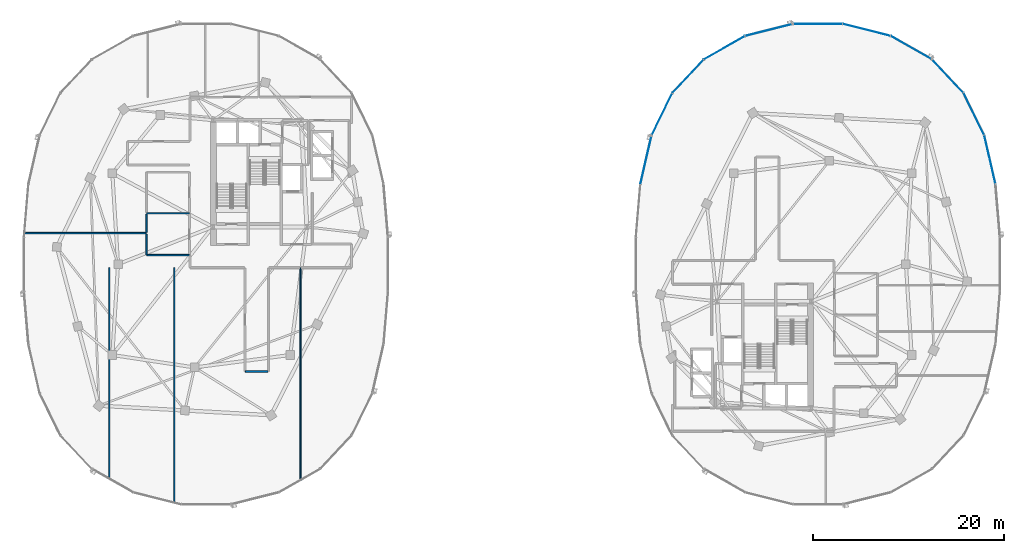
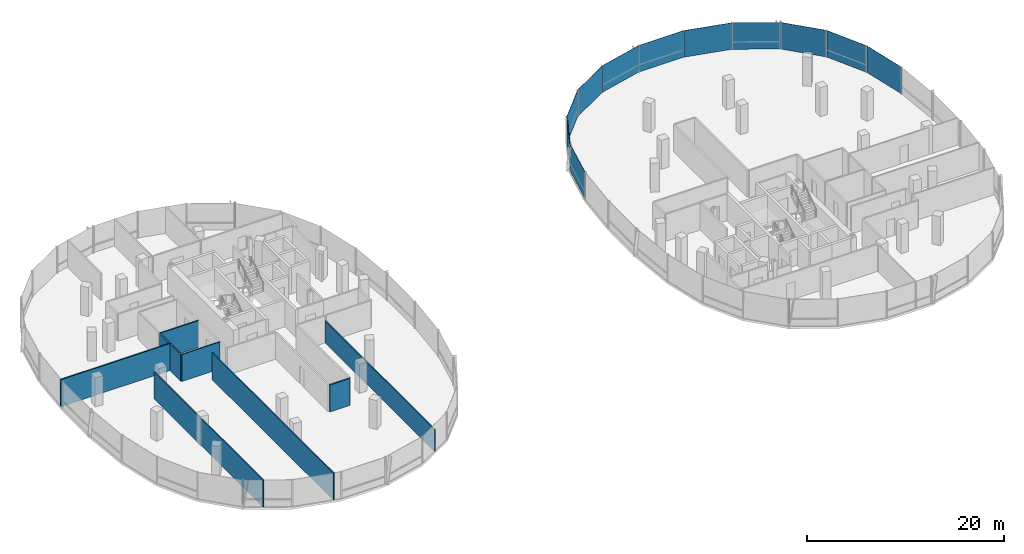
# One storey, part 14 of 25: 11 plates, 9 walls, 2 elements without a shape of their own.
"""IFC4 building model written with IfcOpenShell, lengths in metres."""

from ifc_helpers import new_model, si_unit, direction, frame, frame_2d, origin, origin_2d, place, context, subcontext, project, spatial, rectangle, extrude, material, layer, layer_set, type_object, element, aggregate, save


model = new_model("IFC4")

# Units and contexts
model_context = context("Model", 3, precision=1e-05, world=origin(), true_north=direction((0.0, 1.0)))
body_context = subcontext(model_context, "Body", "Model", "MODEL_VIEW")
ifc_project = project(units=[si_unit("LENGTHUNIT", "METRE"), si_unit("AREAUNIT", "SQUARE_METRE"), si_unit("VOLUMEUNIT", "CUBIC_METRE"), si_unit("PLANEANGLEUNIT", "RADIAN"), si_unit("MASSUNIT", "GRAM", prefix="KILO"), si_unit("THERMODYNAMICTEMPERATUREUNIT", "KELVIN"), si_unit("POWERUNIT", "WATT")], contexts=[model_context])

# Site, building, storey
site_placement = place(None, origin())
site = spatial("IfcSite", under=ifc_project, at=site_placement, CompositionType="ELEMENT")
building_placement = place(site_placement, origin())
building = spatial("IfcBuilding", under=site, at=building_placement, Name="Cundina Bronze Exchange", CompositionType="ELEMENT")
storey_placement = place(building_placement, frame((0.0, 0.0, 195.39990234375)))
storey = spatial("IfcBuildingStorey", under=building, at=storey_placement, Name="L51", CompositionType="ELEMENT", Elevation=195.39990234375)

# Curtain wall, plates
ifc_material_1 = material(Name="Anodised Bronze Aluminium 6063-T6", Category="aluminium")
curtain_wall_type = type_object("IfcCurtainWallType", Name="CWS-UPP-OFF", PredefinedType="NOTDEFINED", material=ifc_material_1)
curtain_wall_1_placement = place(storey_placement, origin())
curtain_wall_1 = element("IfcCurtainWall", 1, at=curtain_wall_1_placement, inside=storey, type_object=curtain_wall_type, Name="L51 CW-05 Curtain Wall Run CWR-L51-E1", PredefinedType="NOTDEFINED")
ifc_material_2 = material(Name="Heat-Strengthened Solar-Control Bronze Safety Glass 28mm", Category="glass")
ifc_layer_1 = layer(ifc_material_2, 0.028076171875, Name="Heat-Strengthened Solar-Control Bronze Safety Glass 28mm", Category="glass")
ifc_layer_set_1 = layer_set([ifc_layer_1], Name="Heat-Strengthened Solar-Control Bronze Safety Glass 28mm")
plate_type_1 = type_object("IfcPlateType", Name="PLT-GLZ-VIS28", PredefinedType="CURTAIN_PANEL", material=ifc_layer_set_1)
plate_1_placement = place(storey_placement, frame((49.98388671875, 10.92578125, 0.02001953125), z_axis=(0.0, 0.0, 1.0), x_axis=(-0.223284141459, 0.974753400698, 0.0)))
plate_1 = element("IfcPlate", 2, at=plate_1_placement, type_object=plate_type_1, Name="CW-05 Glazed Panel 2", PredefinedType="CURTAIN_PANEL", context=body_context, shape_type="SweptSolid", body=[
    extrude(rectangle(XDim=5.167724609375, YDim=0.028076171875, at=origin_2d()), origin(), (0.0, 0.0, 1.0), 3.300048828125),
])
plate_2_placement = place(storey_placement, frame((48.314697265625, 15.686767578125, 0.02001953125), z_axis=(0.0, 0.0, 1.0), x_axis=(-0.440503330345, 0.897750976582, 0.0)))
plate_2 = element("IfcPlate", 3, at=plate_2_placement, type_object=plate_type_1, Name="CW-05 Glazed Panel 3", PredefinedType="CURTAIN_PANEL", context=body_context, shape_type="SweptSolid", body=[
    extrude(rectangle(XDim=4.863525390625, YDim=0.028076171875, at=origin_2d()), origin(), (0.0, 0.0, 1.0), 3.300048828125),
])
plate_3_placement = place(storey_placement, frame((41.769287109375, 22.64111328125, 0.02001953125), z_axis=(0.0, 0.0, 1.0), x_axis=(-0.869572506985, 0.493805280547, 0.0)))
plate_3 = element("IfcPlate", 4, at=plate_3_placement, type_object=plate_type_1, Name="CW-05 Glazed Panel 5", PredefinedType="CURTAIN_PANEL", context=body_context, shape_type="SweptSolid", body=[
    extrude(rectangle(XDim=4.907958984375, YDim=0.028076171875, at=origin_2d()), origin(), (0.0, 0.0, 1.0), 3.300048828125),
])
plate_4_placement = place(storey_placement, frame((37.11279296875, 24.49609375, 0.02001953125), z_axis=(0.0, 0.0, 1.0), x_axis=(-0.969731542251, 0.244173577528, 0.0)))
plate_4 = element("IfcPlate", 5, at=plate_4_placement, type_object=plate_type_1, Name="CW-05 Glazed Panel 6", PredefinedType="CURTAIN_PANEL", context=body_context, shape_type="SweptSolid", body=[
    extrude(rectangle(XDim=5.0908203125, YDim=0.028076171875, at=origin_2d()), origin(), (0.0, 0.0, 1.0), 3.300048828125),
])
plate_5_placement = place(storey_placement, frame((32.0, 25.125, 0.02001953125), z_axis=(0.0, 0.0, 1.0), x_axis=(-1.0, 0.0, 0.0)))
plate_5 = element("IfcPlate", 6, at=plate_5_placement, type_object=plate_type_1, Name="CW-05 Glazed Panel 7", PredefinedType="CURTAIN_PANEL", context=body_context, shape_type="SweptSolid", body=[
    extrude(rectangle(XDim=5.16796875, YDim=0.028076171875, at=origin_2d()), origin(), (0.0, 0.0, 1.0), 3.300048828125),
])

curtain_wall_2_placement = place(storey_placement, origin())
curtain_wall_2 = element("IfcCurtainWall", 7, at=curtain_wall_2_placement, inside=storey, type_object=curtain_wall_type, Name="L51 CW-05 Curtain Wall Run CWR-L51-E2", PredefinedType="NOTDEFINED")
plate_6_placement = place(storey_placement, frame((26.88720703125, 24.49609375, 0.02001953125), z_axis=(0.0, 0.0, 1.0), x_axis=(-0.969731542251, -0.244173577528, 0.0)))
plate_6 = element("IfcPlate", 8, at=plate_6_placement, type_object=plate_type_1, Name="CW-05 Glazed Panel 1", PredefinedType="CURTAIN_PANEL", context=body_context, shape_type="SweptSolid", body=[
    extrude(rectangle(XDim=5.0908203125, YDim=0.028076171875, at=origin_2d()), origin(), (0.0, 0.0, 1.0), 3.300048828125),
])
plate_7_placement = place(storey_placement, frame((22.230712890625, 22.64111328125, 0.02001953125), z_axis=(0.0, 0.0, 1.0), x_axis=(-0.869572506985, -0.493805280547, 0.0)))
plate_7 = element("IfcPlate", 9, at=plate_7_placement, type_object=plate_type_1, Name="CW-05 Glazed Panel 2", PredefinedType="CURTAIN_PANEL", context=body_context, shape_type="SweptSolid", body=[
    extrude(rectangle(XDim=4.907958984375, YDim=0.028076171875, at=origin_2d()), origin(), (0.0, 0.0, 1.0), 3.300048828125),
])
plate_8_placement = place(storey_placement, frame((15.685302734375, 15.686767578125, 0.02001953125), z_axis=(0.0, 0.0, 1.0), x_axis=(-0.440503330345, -0.897750976582, 0.0)))
plate_8 = element("IfcPlate", 10, at=plate_8_placement, type_object=plate_type_1, Name="CW-05 Glazed Panel 4", PredefinedType="CURTAIN_PANEL", context=body_context, shape_type="SweptSolid", body=[
    extrude(rectangle(XDim=4.863525390625, YDim=0.028076171875, at=origin_2d()), origin(), (0.0, 0.0, 1.0), 3.300048828125),
])
plate_9_placement = place(storey_placement, frame((14.01611328125, 10.92578125, 0.02001953125), z_axis=(0.0, 0.0, 1.0), x_axis=(-0.223284141459, -0.974753400698, 0.0)))
plate_9 = element("IfcPlate", 11, at=plate_9_placement, type_object=plate_type_1, Name="CW-05 Glazed Panel 5", PredefinedType="CURTAIN_PANEL", context=body_context, shape_type="SweptSolid", body=[
    extrude(rectangle(XDim=5.167724609375, YDim=0.028076171875, at=origin_2d()), origin(), (0.0, 0.0, 1.0), 3.300048828125),
])

# Plate
ifc_material_3 = material(Name="Dark Bronze Spandrel Glass Panel 32mm", Category="glass")
ifc_layer_2 = layer(ifc_material_3, 0.031982421875, Name="Dark Bronze Spandrel Glass Panel 32mm", Category="glass")
ifc_layer_set_2 = layer_set([ifc_layer_2], Name="Dark Bronze Spandrel Glass Panel 32mm")
plate_type_2 = type_object("IfcPlateType", Name="PLT-SPN-BRZ32", PredefinedType="CURTAIN_PANEL", material=ifc_layer_set_2)
plate_10_placement = place(storey_placement, frame((45.5791015625, 19.6552734375, 0.02001953125), z_axis=(0.0, 0.0, 1.0), x_axis=(-0.684343512797, 0.72915976061, 0.0)))
plate_10 = element("IfcPlate", 12, at=plate_10_placement, type_object=plate_type_2, Name="CW-05 Glazed Panel 4", PredefinedType="CURTAIN_PANEL", context=body_context, shape_type="SweptSolid", body=[
    extrude(rectangle(XDim=4.773193359375, YDim=0.031982421875, at=origin_2d()), origin(), (0.0, 0.0, 1.0), 3.300048828125),
])

aggregate(curtain_wall_1, [plate_1, plate_2, plate_10, plate_3, plate_4, plate_5])

plate_11_placement = place(storey_placement, frame((18.4208984375, 19.6552734375, 0.02001953125), z_axis=(0.0, 0.0, 1.0), x_axis=(-0.684343512797, -0.72915976061, 0.0)))
plate_11 = element("IfcPlate", 13, at=plate_11_placement, type_object=plate_type_2, Name="CW-05 Glazed Panel 3", PredefinedType="CURTAIN_PANEL", context=body_context, shape_type="SweptSolid", body=[
    extrude(rectangle(XDim=4.773193359375, YDim=0.031982421875, at=origin_2d()), origin(), (0.0, 0.0, 1.0), 3.300048828125),
])

aggregate(curtain_wall_2, [plate_6, plate_7, plate_11, plate_8, plate_9])

# Walls
ifc_material_4 = material(Name="Gypsum Fireboard Partition EI120")
ifc_layer_3 = layer(ifc_material_4, 0.179931640625, Name="Gypsum Fireboard Partition EI120")
ifc_layer_set_3 = layer_set([ifc_layer_3], Name="Gypsum Fireboard Partition EI120")
wall_type_1 = type_object("IfcWallType", Name="WL-COR-180", PredefinedType="PARTITIONING", material=ifc_layer_set_3)
wall_1_placement = place(storey_placement, frame((-27.87841796875, -11.219970703125, 0.0), z_axis=(0.0, 0.0, 1.0), x_axis=(1.0, 0.0, 0.0)))
element("IfcWall", 14, at=wall_1_placement, inside=storey, type_object=wall_type_1, Name="L51 Interior Partition 027", PredefinedType="PARTITIONING", context=body_context, shape_type="SweptSolid", body=[
    extrude(rectangle(XDim=2.35693359375, YDim=0.179931640625, at=frame_2d((1.178466796875, 0.0))), origin(), (0.0, 0.0, 1.0), 3.340087890625),
])
ifc_material_5 = material(Name="Gypsum Acoustic Partition EI60")
ifc_layer_4 = layer(ifc_material_5, 0.125, Name="Gypsum Acoustic Partition EI60")
ifc_layer_set_4 = layer_set([ifc_layer_4], Name="Gypsum Acoustic Partition EI60")
wall_type_2 = type_object("IfcWallType", Name="WL-OFF-125", PredefinedType="PARTITIONING", material=ifc_layer_set_4)
wall_2_placement = place(storey_placement, frame((-42.1201171875, -22.51953125, 0.0), z_axis=(0.0, 0.0, 1.0), x_axis=(0.0, 1.0, 0.0)))
element("IfcWall", 15, at=wall_2_placement, inside=storey, type_object=wall_type_2, Name="L51 Interior Partition 016", PredefinedType="PARTITIONING", context=body_context, shape_type="SweptSolid", body=[
    extrude(rectangle(XDim=22.1494140625, YDim=0.125, at=frame_2d((11.07470703125, 0.0))), origin(), (0.0, 0.0, 1.0), 3.340087890625),
])
wall_3_placement = place(storey_placement, frame((-35.320068359375, -25.01513671875, 0.0), z_axis=(0.0, 0.0, 1.0), x_axis=(0.0, 1.0, 0.0)))
element("IfcWall", 16, at=wall_3_placement, inside=storey, type_object=wall_type_2, Name="L51 Interior Partition 017", PredefinedType="PARTITIONING", context=body_context, shape_type="SweptSolid", body=[
    extrude(rectangle(XDim=24.64501953125, YDim=0.125, at=frame_2d((12.322509765625, 0.0))), origin(), (0.0, 0.0, 1.0), 3.340087890625),
])
wall_4_placement = place(storey_placement, frame((-22.1201171875, -22.65576171875, 0.0), z_axis=(0.0, 0.0, 1.0), x_axis=(0.0, 1.0, 0.0)))
element("IfcWall", 17, at=wall_4_placement, inside=storey, type_object=wall_type_2, Name="L51 Interior Partition 018", PredefinedType="PARTITIONING", context=body_context, shape_type="SweptSolid", body=[
    extrude(rectangle(XDim=22.255859375, YDim=0.125, at=frame_2d((11.1279296875, 0.0))), origin(), (0.0, 0.0, 1.0), 2.72412109375),
])
ifc_layer_5 = layer(ifc_material_5, 0.14990234375, Name="Gypsum Acoustic Partition EI60")
ifc_layer_set_5 = layer_set([ifc_layer_5], Name="Gypsum Acoustic Partition EI60")
wall_type_3 = type_object("IfcWallType", Name="WL-TEN-150", PredefinedType="PARTITIONING", material=ifc_layer_set_5)
wall_5_placement = place(storey_placement, frame((-51.065673828125, 3.239990234375, 0.0), z_axis=(0.0, 0.0, 1.0), x_axis=(1.0, 0.0, 0.0)))
element("IfcWall", 18, at=wall_5_placement, inside=storey, type_object=wall_type_3, Name="L51 Interior Partition 019", PredefinedType="PARTITIONING", context=body_context, shape_type="SweptSolid", body=[
    extrude(rectangle(XDim=12.795654296875, YDim=0.14990234375, at=frame_2d((6.39794921875, 0.0))), origin(), (0.0, 0.0, 1.0), 3.340087890625),
])
ifc_material_6 = material(Name="Moisture-Resistant Masonry Block Grade M15", Category="masonry")
ifc_layer_6 = layer(ifc_material_6, 0.139892578125, Name="Moisture-Resistant Masonry Block Grade M15", Category="masonry")
ifc_layer_set_6 = layer_set([ifc_layer_6], Name="Moisture-Resistant Masonry Block Grade M15")
wall_type_4 = type_object("IfcWallType", Name="WL-WET-140", PredefinedType="PARTITIONING", material=ifc_layer_set_6)
wall_6_placement = place(storey_placement, frame((-38.239990234375, 0.969970703125, 0.0), z_axis=(0.0, 0.0, 1.0), x_axis=(0.0, 1.0, 0.0)))
element("IfcWall", 19, at=wall_6_placement, inside=storey, type_object=wall_type_4, Name="L51 Interior Partition 008", PredefinedType="PARTITIONING", context=body_context, shape_type="SweptSolid", body=[
    extrude(rectangle(XDim=2.18505859375, YDim=0.139892578125, at=frame_2d((1.092529296875, 0.0))), origin(), (0.0, 0.0, 1.0), 3.340087890625),
])
wall_7_placement = place(storey_placement, frame((-38.239990234375, 3.324951171875, 0.0), z_axis=(0.0, 0.0, 1.0), x_axis=(0.0, 1.0, 0.0)))
element("IfcWall", 20, at=wall_7_placement, inside=storey, type_object=wall_type_4, Name="L51 Interior Partition 009", PredefinedType="PARTITIONING", context=body_context, shape_type="SweptSolid", body=[
    extrude(rectangle(XDim=1.920166015625, YDim=0.139892578125, at=frame_2d((0.9599609375, 0.0))), origin(), (0.0, 0.0, 1.0), 3.340087890625),
])
for number, where, z_axis, x_axis, name in (
    (21, (-38.219970703125, 0.949951171875, 0.0), (0.0, 0.0, 1.0), (1.0, 0.0, 0.0), "L51 Interior Partition 011"),
    (22, (-38.219970703125, 5.330078125, 0.0), (0.0, 0.0, 1.0), (1.0, 0.0, 0.0), "L51 Interior Partition 012"),
):
    element("IfcWall", number, at=place(storey_placement, frame(where, z_axis=z_axis, x_axis=x_axis)), inside=storey, type_object=wall_type_4, Name=name, PredefinedType="PARTITIONING", context=body_context, shape_type="SweptSolid", body=[
        extrude(rectangle(XDim=4.47998046875, YDim=0.139892578125, at=frame_2d((2.239990234375, 0.0))), origin(), (0.0, 0.0, 1.0), 3.340087890625),
    ])

save(model, "model.ifc")
